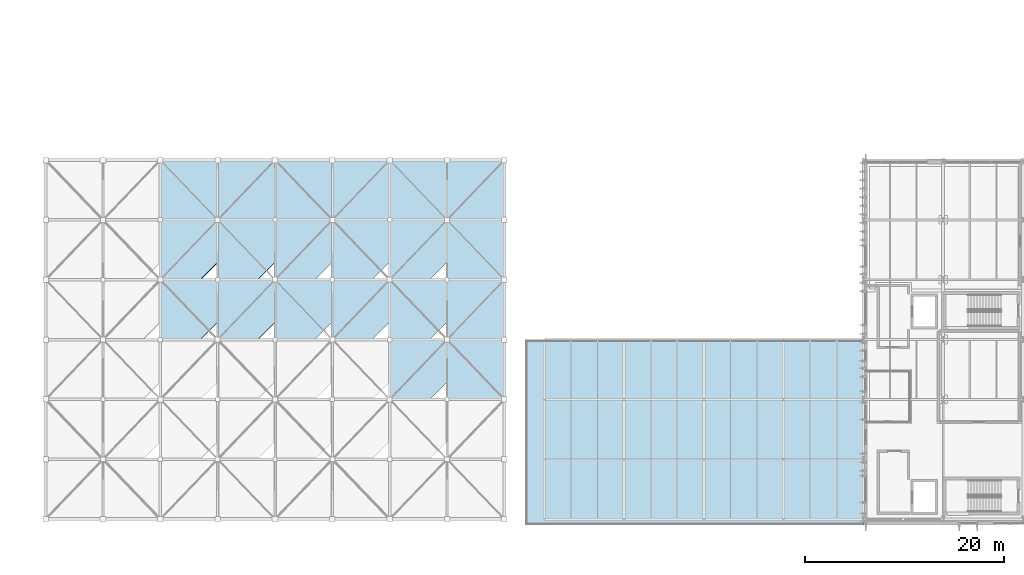
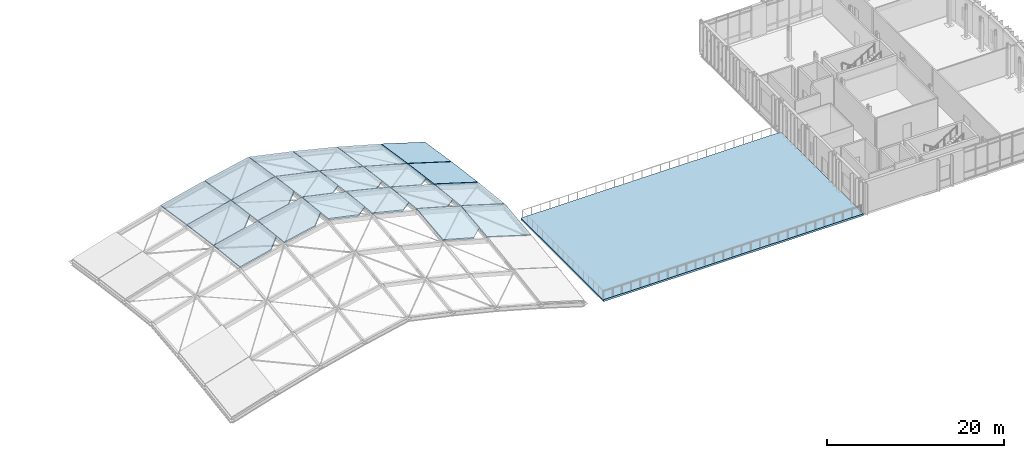
# One storey, part 31 of 62: 21 slabs.
"""IFC4 building model written with IfcOpenShell, lengths in metres."""

from ifc_helpers import new_model, si_unit, direction, frame, origin, place, context, subcontext, project, spatial, polyline, outline, extrude, material, layer, layer_set, type_object, element, save


model = new_model("IFC4")

# Units and contexts
model_context = context("Model", 3, precision=1e-05, world=origin(), true_north=direction((0.0, 1.0)))
body_context = subcontext(model_context, "Body", "Model", "MODEL_VIEW")
ifc_project = project(units=[si_unit("LENGTHUNIT", "METRE"), si_unit("AREAUNIT", "SQUARE_METRE"), si_unit("VOLUMEUNIT", "CUBIC_METRE"), si_unit("PLANEANGLEUNIT", "RADIAN"), si_unit("MASSUNIT", "GRAM", prefix="KILO")], contexts=[model_context])

# Site, building, storey
site_placement = place(None, origin())
site = spatial("IfcSite", under=ifc_project, at=site_placement, CompositionType="ELEMENT")
building_placement = place(site_placement, origin())
building = spatial("IfcBuilding", under=site, at=building_placement, Name="Cymarion Research Institute", CompositionType="ELEMENT")
storey_placement = place(building_placement, frame((0.0, 0.0, 18.300048828125)))
storey = spatial("IfcBuildingStorey", under=building, at=storey_placement, Name="L04", CompositionType="ELEMENT", Elevation=18.300048828125)

# Slabs
ifc_material = material(Name="Concrete C35/45", Category="concrete")
ifc_layer_1 = layer(ifc_material, 0.179931640625)
ifc_layer_set_1 = layer_set([ifc_layer_1], Name="Concrete C35/45")
slab_type_1 = type_object("IfcSlabType", Name="ROOF SLAB SL-RF180 180MM", PredefinedType="ROOF", material=ifc_layer_set_1)
slab_1_placement = place(storey_placement, frame((68.125, 23.52490234375, 6.063232421875), z_axis=(-0.235246046256, 0.106265060272, 0.966109225029), x_axis=(0.971610714981, 2.908434e-06, 0.236585330326)))
element("IfcSlab", 1, at=slab_1_placement, inside=storey, type_object=slab_type_1, Name="Translational gridshell roof cassette B3-4", PredefinedType="ROOF", context=body_context, shape_type="SweptSolid", body=[
    extrude(outline(polyline([(0.0, 0.0), (4.116847860576344, 1.3877787807814457e-17), (5.822260463104233, 1.7098590542236374), (5.711662250812492, 5.984066779115638), (-0.1548374966403843, 5.984085021457873), (0.0, 0.0)])), origin(), (0.0, 0.0, -1.0), 0.179931640625),
])
slab_2_placement = place(storey_placement, frame((68.125, 29.52490234375, 5.402587890625), z_axis=(-0.234577168859, 0.130035031824, 0.963361013509), x_axis=(0.971610681427, 3.587762e-06, 0.236585468118)))
element("IfcSlab", 2, at=slab_2_placement, inside=storey, type_object=slab_type_1, Name="Translational gridshell roof cassette B3-5", PredefinedType="ROOF", context=body_context, shape_type="SweptSolid", body=[
    extrude(outline(polyline([(0.0, 0.0), (4.11684786055133, 0.0), (5.812211330727837, 1.714732333779642), (5.6764902871916485, 6.001134840011576), (-0.1900094602499274, 6.0011571629044145), (0.0, 0.0)])), origin(), (0.0, 0.0, -1.0), 0.179931640625),
])
slab_3_placement = place(storey_placement, frame((68.125, 35.52490234375, 4.592041015625), z_axis=(-0.233950089675, 0.148894839405, 0.960779726233), x_axis=(0.971610230498, 0.0, 0.236587320015)))
element("IfcSlab", 3, at=slab_3_placement, inside=storey, type_object=slab_type_1, Name="Translational gridshell roof cassette B3-6", PredefinedType="ROOF", context=body_context, shape_type="SweptSolid", body=[
    extrude(outline(polyline([(0.0, 0.0), (5.86649974748999, 0.0), (5.648338051275353, 6.017269600134991), (-0.2181616962146373, 6.017269600134991), (0.0, 0.0)])), origin(), (0.0, 0.0, -1.0), 0.179931640625),
])
slab_4_placement = place(storey_placement, frame((73.875, 23.52490234375, 7.462646484375), z_axis=(-0.209603738004, 0.106907690925, 0.971924389362), x_axis=(0.977526692071, 2.160886e-06, 0.21081168441)))
element("IfcSlab", 4, at=slab_4_placement, inside=storey, type_object=slab_type_1, Name="Translational gridshell roof cassette B4-4", PredefinedType="ROOF", context=body_context, shape_type="SweptSolid", body=[
    extrude(outline(polyline([(0.0, 0.0), (4.091942139627471, -1.3877787807814457e-17), (5.791573683824213, 1.709981956291879), (5.693022229006076, 5.984484412967378), (-0.13797203632334315, 5.984497632500061), (0.0, 0.0)])), origin(), (0.0, 0.0, -1.0), 0.179931640625),
])
slab_5_placement = place(storey_placement, frame((73.875, 29.52490234375, 6.802001953125), z_axis=(-0.209000623299, 0.130816234014, 0.969126334581), x_axis=(0.977526653187, 2.676112e-06, 0.210811864706)))
element("IfcSlab", 5, at=slab_5_placement, inside=storey, type_object=slab_type_1, Name="Translational gridshell roof cassette B4-5", PredefinedType="ROOF", context=body_context, shape_type="SweptSolid", body=[
    extrude(outline(polyline([(0.0, 0.0), (4.091942139607135, 0.0), (5.782619139254175, 1.714915488005535), (5.661681322774797, 6.001760562531005), (-0.16931294254845067, 6.001776738443759), (0.0, 0.0)])), origin(), (0.0, 0.0, -1.0), 0.179931640625),
])
slab_6_placement = place(storey_placement, frame((73.875, 35.52490234375, 5.991455078125), z_axis=(-0.208414207129, 0.149801224094, 0.966500445694), x_axis=(0.977530675315, -3.030993e-06, 0.210793213386)))
element("IfcSlab", 6, at=slab_6_placement, inside=storey, type_object=slab_type_1, Name="Translational gridshell roof cassette B4-6", PredefinedType="ROOF", context=body_context, shape_type="SweptSolid", body=[
    extrude(outline(polyline([(0.0, 0.0), (5.830994264153042, -2.7755575615628914e-17), (5.636548309191887, 6.018120058305167), (-0.19439449177429396, 6.01808430765574), (0.0, 0.0)])), origin(), (0.0, 0.0, -1.0), 0.179931640625),
])
slab_7_placement = place(storey_placement, frame((79.625, 23.52490234375, 8.69189453125), z_axis=(0.209607191474, 0.106901996411, 0.971924270942), x_axis=(0.97752583872, 3.674729e-06, -0.21081564131)))
element("IfcSlab", 7, at=slab_7_placement, inside=storey, type_object=slab_type_1, Name="Translational gridshell roof cassette B5-4", PredefinedType="ROOF", context=body_context, shape_type="SweptSolid", body=[
    extrude(outline(polyline([(0.0, 0.0), (4.091993607905425, 0.0), (5.870425508459317, 1.7099717938328172), (5.969003614608113, 5.9844736356364105), (0.13800934932603362, 5.9844967717989785), (0.0, 0.0)])), origin(), (0.0, 0.0, -1.0), 0.179931640625),
])
slab_8_placement = place(storey_placement, frame((79.625, 29.52490234375, 8.03125), z_axis=(0.208997012014, 0.130831168671, 0.969125097329), x_axis=(0.977527336484, -2.248686e-06, -0.210808696268)))
element("IfcSlab", 8, at=slab_8_placement, inside=storey, type_object=slab_type_1, Name="Translational gridshell roof cassette B5-5", PredefinedType="ROOF", context=body_context, shape_type="SweptSolid", body=[
    extrude(outline(polyline([(0.0, 0.0), (4.091942139858939, 0.0), (5.879369390926413, 1.7149478414043142), (6.000307206137259, 6.001792916208424), (0.16931294085598705, 6.001776738448944), (0.0, 0.0)])), origin(), (0.0, 0.0, -1.0), 0.179931640625),
])
slab_9_placement = place(storey_placement, frame((79.625, 35.52490234375, 7.220703125), z_axis=(0.208414207129, 0.149801224094, 0.966500445694), x_axis=(0.977530675315, 3.030993e-06, -0.210793213386)))
element("IfcSlab", 9, at=slab_9_placement, inside=storey, type_object=slab_type_1, Name="Translational gridshell roof cassette B5-6", PredefinedType="ROOF", context=body_context, shape_type="SweptSolid", body=[
    extrude(outline(polyline([(0.0, 0.0), (5.830994264153042, 2.7755575615628914e-17), (6.025388755927335, 6.018084307655741), (0.19444595496115571, 6.018120058305167), (0.0, 0.0)])), origin(), (0.0, 0.0, -1.0), 0.179931640625),
])
slab_10_placement = place(storey_placement, frame((85.375, 23.52490234375, 7.451171875), z_axis=(0.235242954008, 0.106285918276, 0.966107683525), x_axis=(0.971611335999, -2.628429e-06, -0.236582779912)))
element("IfcSlab", 10, at=slab_10_placement, inside=storey, type_object=slab_type_1, Name="Translational gridshell roof cassette B6-4", PredefinedType="ROOF", context=body_context, shape_type="SweptSolid", body=[
    extrude(outline(polyline([(0.0, 0.0), (4.116847860859447, 0.0), (5.910739030860858, 1.7098955421880861), (6.02133724078222, 5.984103267416932), (0.15483749337654076, 5.9840850214940415), (0.0, 0.0)])), origin(), (0.0, 0.0, -1.0), 0.179931640625),
])
slab_11_placement = place(storey_placement, frame((85.375, 29.52490234375, 6.79052734375), z_axis=(0.234573387599, 0.130055746394, 0.963359137944), x_axis=(0.971611439182, -3.16822e-06, -0.23658235615)))
element("IfcSlab", 11, at=slab_11_placement, inside=storey, type_object=slab_type_1, Name="Translational gridshell roof cassette B6-5", PredefinedType="ROOF", context=body_context, shape_type="SweptSolid", body=[
    extrude(outline(polyline([(0.0, 0.0), (4.116847860896765, 0.0), (5.920788163228373, 1.714776982754914), (6.056509204386324, 6.001179489397366), (0.19000945700233768, 6.001157162948493), (0.0, 0.0)])), origin(), (0.0, 0.0, -1.0), 0.179931640625),
])
slab_12_placement = place(storey_placement, frame((85.375, 35.52490234375, 5.97998046875), z_axis=(0.233950089675, 0.148894839405, 0.960779726233), x_axis=(0.971610230498, 0.0, -0.236587320015)))
element("IfcSlab", 12, at=slab_12_placement, inside=storey, type_object=slab_type_1, Name="Translational gridshell roof cassette B6-6", PredefinedType="ROOF", context=body_context, shape_type="SweptSolid", body=[
    extrude(outline(polyline([(0.0, 0.0), (5.86649974748999, 0.0), (6.084661443704627, 6.017269600134991), (0.2181616962146373, 6.017269600134991), (0.0, 0.0)])), origin(), (0.0, 0.0, -1.0), 0.179931640625),
])
slab_13_placement = place(storey_placement, frame((91.125, 17.52490234375, 5.395751953125), z_axis=(0.266599496846, -0.105379808797, 0.958029124912), x_axis=(0.963393308178, 1.929426e-06, -0.268092024787)))
element("IfcSlab", 13, at=slab_13_placement, inside=storey, type_object=slab_type_1, Name="Translational gridshell roof cassette B7-3", PredefinedType="ROOF", context=body_context, shape_type="SweptSolid", body=[
    extrude(outline(polyline([(0.0, 0.0), (4.151969605026859, 0.0), (5.866404393703246, 1.709702729180176), (5.7410717179191195, 5.983503772983143), (-0.17546574572093734, 5.983515686333313), (0.0, 0.0)])), origin(), (0.0, 0.0, -1.0), 0.179931640625),
])
slab_14_placement = place(storey_placement, frame((91.125, 23.52490234375, 6.05029296875), z_axis=(0.266596605059, 0.105393579655, 0.958028414787), x_axis=(0.96339400016, -1.656122e-06, -0.268089538127)))
element("IfcSlab", 14, at=slab_14_placement, inside=storey, type_object=slab_type_1, Name="Translational gridshell roof cassette B7-4", PredefinedType="ROOF", context=body_context, shape_type="SweptSolid", body=[
    extrude(outline(polyline([(0.0, 0.0), (4.151969605210188, -1.3877787807814457e-17), (5.9666705331834, 1.7097265572364841), (6.0920032079268145, 5.983527601249923), (0.17546574431731843, 5.983515686342937), (0.0, 0.0)])), origin(), (0.0, 0.0, -1.0), 0.179931640625),
])
slab_15_placement = place(storey_placement, frame((91.125, 29.52490234375, 5.3896484375), z_axis=(0.265850445446, 0.128970752485, 0.955348148928), x_axis=(0.96339410172, -1.983022e-06, -0.268089173165)))
element("IfcSlab", 15, at=slab_15_placement, inside=storey, type_object=slab_type_1, Name="Translational gridshell roof cassette B7-5", PredefinedType="ROOF", context=body_context, shape_type="SweptSolid", body=[
    extrude(outline(polyline([(0.0, 0.0), (4.151969605231998, 2.7755575615628914e-17), (5.978058462867129, 1.7145249858192924), (6.131860962008857, 6.000316796191263), (0.2153234984111094, 6.000302215848467), (0.0, 0.0)])), origin(), (0.0, 0.0, -1.0), 0.179931640625),
])
slab_16_placement = place(storey_placement, frame((91.125, 35.52490234375, 4.5791015625), z_axis=(0.265153979791, 0.14766316809, 0.952832071139), x_axis=(0.963393066788, 0.0, -0.268092892231)))
element("IfcSlab", 16, at=slab_16_placement, inside=storey, type_object=slab_type_1, Name="Translational gridshell roof cassette B7-6", PredefinedType="ROOF", context=body_context, shape_type="SweptSolid", body=[
    extrude(outline(polyline([(0.0, 0.0), (5.9165374636534676, -2.7755575615628914e-17), (6.163751051045356, 6.016146059448092), (0.24721358739188834, 6.016146059448092), (0.0, 0.0)])), origin(), (0.0, 0.0, -1.0), 0.179931640625),
])
slab_17_placement = place(storey_placement, frame((96.875, 17.52490234375, 3.795166015625), z_axis=(0.291088735985, -0.104589413494, 0.950961830132), x_axis=(0.956206092185, -2.036754e-06, -0.292694224856)))
element("IfcSlab", 17, at=slab_17_placement, inside=storey, type_object=slab_type_1, Name="Translational gridshell roof cassette B8-3", PredefinedType="ROOF", context=body_context, shape_type="SweptSolid", body=[
    extrude(outline(polyline([(0.0, 0.0), (5.961042299631373, 2.7755575615628914e-17), (5.769449805340009, 5.983021017904587), (-0.1915210357403745, 5.982996601781179), (0.0, 0.0)])), origin(), (0.0, 0.0, -1.0), 0.179931640625),
])
slab_18_placement = place(storey_placement, frame((96.875, 23.52490234375, 4.449462890625), z_axis=(0.291088735985, 0.104589413494, 0.950961830132), x_axis=(0.956206217575, -2.036779e-06, -0.292693815219)))
element("IfcSlab", 18, at=slab_18_placement, inside=storey, type_object=slab_type_1, Name="Translational gridshell roof cassette B8-4", PredefinedType="ROOF", context=body_context, shape_type="SweptSolid", body=[
    extrude(outline(polyline([(0.0, 0.0), (5.960970841130387, 0.0), (6.15253882897926, 5.9830218026168325), (0.19149652939789158, 5.982997386200729), (0.0, 0.0)])), origin(), (0.0, 0.0, -1.0), 0.179931640625),
])
slab_19_placement = place(storey_placement, frame((96.875, 29.52490234375, 3.788818359375), z_axis=(0.290267122609, 0.128017884966, 0.948344040241), x_axis=(0.956211886068, 0.0, -0.292675296091)))
element("IfcSlab", 19, at=slab_19_placement, inside=storey, type_object=slab_type_1, Name="Translational gridshell roof cassette B8-5", PredefinedType="ROOF", context=body_context, shape_type="SweptSolid", body=[
    extrude(outline(polyline([(0.0, 0.0), (5.960970842260702, 0.0), (6.196054271005877, 5.999560540067889), (0.23508342874517463, 5.999560540067889), (0.0, 0.0)])), origin(), (0.0, 0.0, -1.0), 0.179931640625),
])
slab_20_placement = place(storey_placement, frame((96.875, 35.52490234375, 2.978515625), z_axis=(0.28953152297, 0.146604345564, 0.945874549329), x_axis=(0.956206031696, 2.839672e-06, -0.292694422463)))
element("IfcSlab", 20, at=slab_20_placement, inside=storey, type_object=slab_type_1, Name="Translational gridshell roof cassette B8-6", PredefinedType="ROOF", context=body_context, shape_type="SweptSolid", body=[
    extrude(outline(polyline([(0.0, 0.0), (5.961042299643434, 0.0), (6.230958325555897, 6.015170262929208), (0.26998748451169813, 6.015204487327969), (0.0, 0.0)])), origin(), (0.0, 0.0, -1.0), 0.179931640625),
])
ifc_layer_2 = layer(ifc_material, 0.260009765625)
ifc_layer_set_2 = layer_set([ifc_layer_2], Name="Concrete C35/45")
slab_type_2 = type_object("IfcSlabType", Name="ROOF SLAB SL-TR260 260MM", PredefinedType="ROOF", material=ifc_layer_set_2)
slab_21_placement = place(storey_placement, frame((0.0, 0.0, -0.260009765625)))
element("IfcSlab", 21, at=slab_21_placement, inside=storey, type_object=slab_type_2, Name="V1 planted roof garden terrace", PredefinedType="ROOF", context=body_context, shape_type="SweptSolid", body=[
    extrude(outline(polyline([(104.699951171875, 4.89990234375), (138.60009765625, 4.89990234375), (138.60009765625, 23.5), (104.699951171875, 23.5), (104.699951171875, 4.89990234375)])), origin(), (0.0, 0.0, 1.0), 0.260009765625),
])

save(model, "model.ifc")
